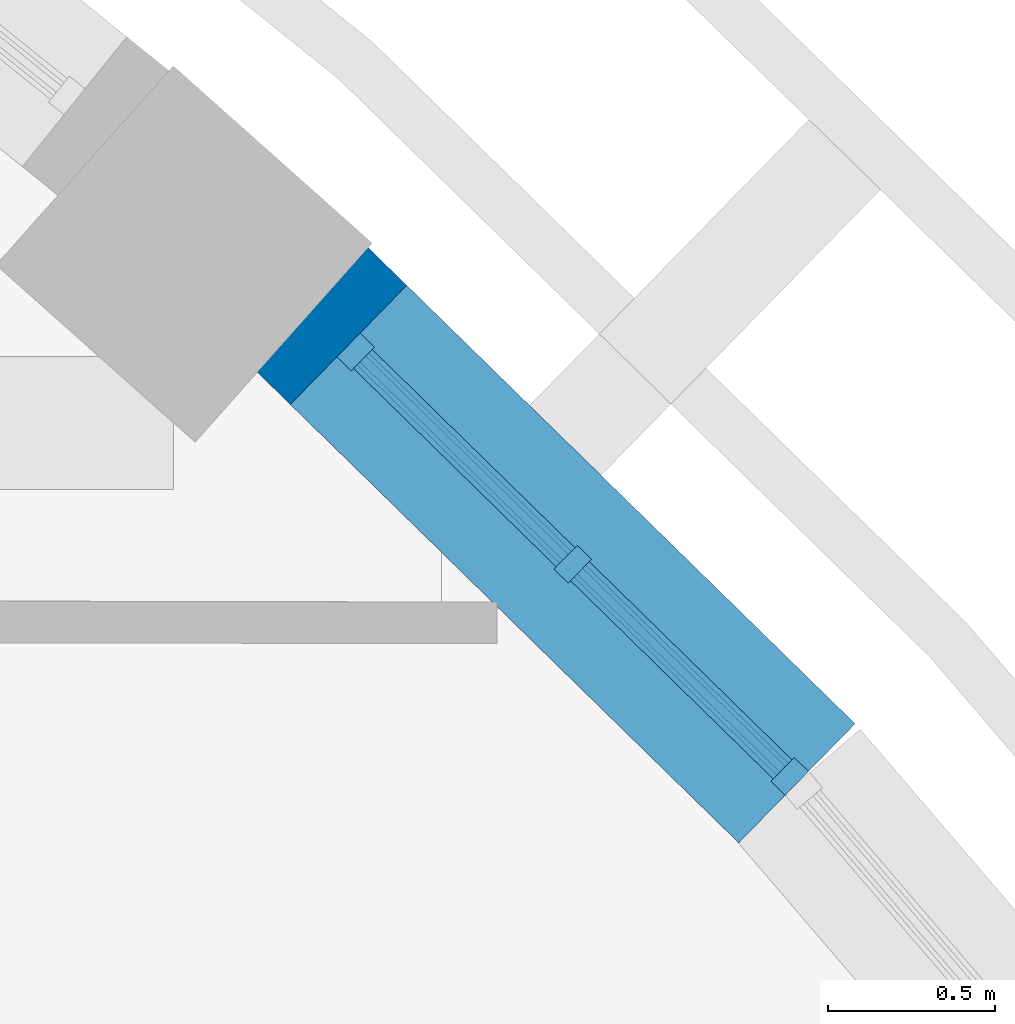
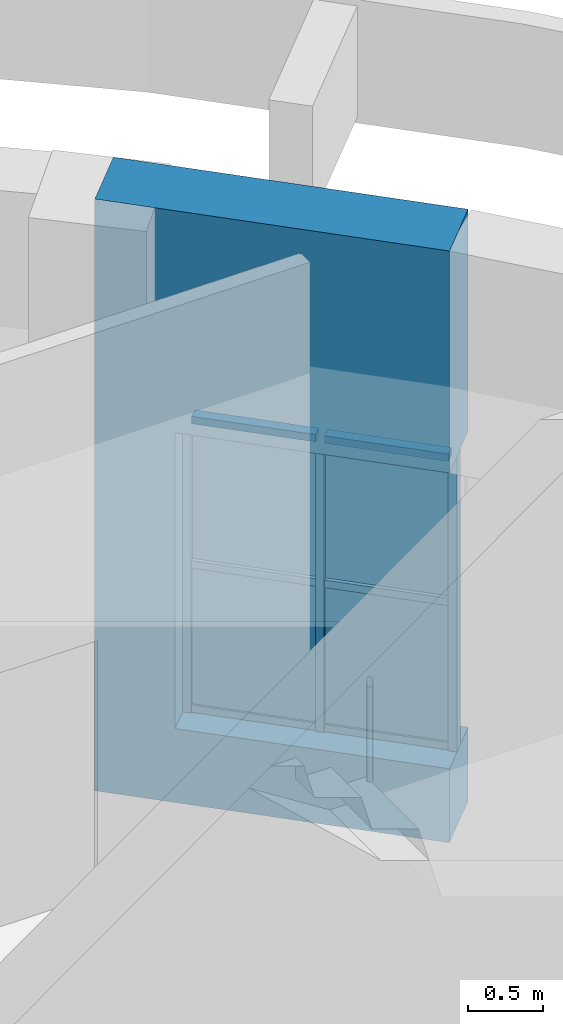
# One storey, part 38 of 79: 9 members, 4 plates, 1 wall, 1 opening, 1 element without a shape of its own.
"""IFC4 building model written with IfcOpenShell, lengths in metres."""

import ifcopenshell
import ifcopenshell.guid

model = None  # the IFC model being written
_history = None  # IfcOwnerHistory: only IFC2X3 demands one
_inside = {}  # id of a spatial element -> (the spatial element, [elements in it])
_under = {}  # id of a project, library or spatial element -> (it, [spatial elements below it])
_declared = {}  # id of a project -> (the project, [libraries it declares])
_typed = {}  # id of a type object -> (the type object, [elements of that type])
_made_of = {}  # id of a material, layer set ... -> (it, [elements and type objects made of it])


def new_model(schema):
    """Start an empty IFC model of exactly this schema.

    Asked for "IFC4X3", IfcOpenShell would pick the latest addendum, in which some entities
    have other attributes; the version numbers below select the first issue.
    IFC2X3 requires an IfcOwnerHistory on every rooted entity: one is made here for all.
    """
    global model, _history
    if schema == "IFC4X3":
        model = ifcopenshell.file(schema_version=(4, 3, 0, 0))
    else:
        model = ifcopenshell.file(schema=schema)
    _inside.clear()
    _under.clear()
    _declared.clear()
    _typed.clear()
    _made_of.clear()
    _history = None
    if model.schema == "IFC2X3":
        org = make("IfcOrganization", Name="unknown")
        user = make(
            "IfcPersonAndOrganization",
            ThePerson=make("IfcPerson", FamilyName="unknown"),
            TheOrganization=org,
        )
        app = make(
            "IfcApplication",
            ApplicationDeveloper=org,
            Version="unknown",
            ApplicationFullName="unknown",
            ApplicationIdentifier="unknown",
        )
        _history = make(
            "IfcOwnerHistory",
            OwningUser=user,
            OwningApplication=app,
            ChangeAction="ADDED",
            CreationDate=0,
        )
    return model


def make(cls, **values):
    """One entity of the class cls with the attributes given. An attribute that is None is left unset."""
    return model.create_entity(
        cls, **{name: value for name, value in values.items() if value is not None}
    )


def rooted(cls, **values):
    """An entity with a GlobalId (a new one), such as an element, a storey or a relation."""
    return make(cls, GlobalId=ifcopenshell.guid.new(), OwnerHistory=_history, **values)


def si_unit(unit_type, name, prefix=None):
    """IfcSIUnit, for example si_unit("LENGTHUNIT", "METRE", prefix="MILLI")."""
    return make("IfcSIUnit", UnitType=unit_type, Prefix=prefix, Name=name)


def assignment(units):
    """IfcUnitAssignment: the units of a project."""
    return None if units is None else make("IfcUnitAssignment", Units=units)


def point(xyz):
    """IfcCartesianPoint."""
    return None if xyz is None else make("IfcCartesianPoint", Coordinates=xyz)


def direction(xyz):
    """IfcDirection."""
    return None if xyz is None else make("IfcDirection", DirectionRatios=xyz)


def frame(location, z_axis=None, x_axis=None):
    """IfcAxis2Placement3D, a coordinate frame: its origin and axes. An axis left out is left unset."""
    return make(
        "IfcAxis2Placement3D",
        Location=point(location),
        Axis=direction(z_axis),
        RefDirection=direction(x_axis),
    )


def frame_2d(location, x_axis=None):
    """IfcAxis2Placement2D, a coordinate frame in the plane: its origin and x axis."""
    return make(
        "IfcAxis2Placement2D", Location=point(location), RefDirection=direction(x_axis)
    )


def origin():
    """The frame at (0, 0, 0) with its axes left unset."""
    return frame((0.0, 0.0, 0.0))


def origin_2d():
    """The frame at (0, 0) in the plane with its x axis left unset."""
    return frame_2d((0.0, 0.0))


def place(relative_to, where):
    """IfcLocalPlacement: puts the frame where relative to a parent placement (None: the world)."""
    return make(
        "IfcLocalPlacement", PlacementRelTo=relative_to, RelativePlacement=where
    )


def context(
    kind, dimensions, precision=None, world=None, true_north=None, identifier=None
):
    """IfcGeometricRepresentationContext, for example the 3D "Model" context."""
    return make(
        "IfcGeometricRepresentationContext",
        ContextIdentifier=identifier,
        ContextType=kind,
        CoordinateSpaceDimension=dimensions,
        Precision=precision,
        WorldCoordinateSystem=world,
        TrueNorth=true_north,
    )


def subcontext(parent, identifier, kind, view, scale=None):
    """IfcGeometricRepresentationSubContext, for example "Body" below "Model"."""
    return make(
        "IfcGeometricRepresentationSubContext",
        ContextIdentifier=identifier,
        ContextType=kind,
        ParentContext=parent,
        TargetScale=scale,
        TargetView=view,
    )


def project(units=None, contexts=None):
    """IfcProject with its units and contexts."""
    return rooted(
        "IfcProject",
        Name="project",
        RepresentationContexts=contexts,
        UnitsInContext=assignment(units),
    )


def spatial(cls, under=None, at=None, **own):
    """A site, building, storey or space (cls), placed at a placement, below another one or the project."""
    s = rooted(cls, ObjectPlacement=at, **own)
    if under is not None:
        _under.setdefault(under.id(), (under, []))[1].append(s)
    return s


def profile(cls, at=None, kind="AREA", **sizes):
    """A parametric profile (cls). Its sizes go by their IFC names, for example OverallWidth=200.0."""
    return make(cls, ProfileType=kind, Position=at, **sizes)


def rectangle(**sizes):
    """IfcRectangleProfileDef."""
    return profile("IfcRectangleProfileDef", **sizes)


def extrude(swept, where, along, depth):
    """IfcExtrudedAreaSolid: the profile swept, set in the frame where, extruded along a direction by depth."""
    return make(
        "IfcExtrudedAreaSolid",
        SweptArea=swept,
        Position=where,
        ExtrudedDirection=direction(along),
        Depth=depth,
    )


def shape(context_of_items, identifier, shape_type, items):
    """IfcShapeRepresentation: the items that make up one representation, for example the "Body"."""
    return make(
        "IfcShapeRepresentation",
        ContextOfItems=context_of_items,
        RepresentationIdentifier=identifier,
        RepresentationType=shape_type,
        Items=items,
    )


def material(Name=None, Category=None):
    """IfcMaterial."""
    return make("IfcMaterial", Name=Name, Category=Category)


def layer(
    of_material, thickness, ventilated=None, Name=None, Category=None, Priority=None
):
    """IfcMaterialLayer: one layer of a wall or slab, of a material (None: an air gap)."""
    return make(
        "IfcMaterialLayer",
        Material=of_material,
        LayerThickness=thickness,
        IsVentilated=ventilated,
        Name=Name,
        Category=Category,
        Priority=Priority,
    )


def layer_set(layers, Name=None):
    """IfcMaterialLayerSet."""
    return make("IfcMaterialLayerSet", MaterialLayers=layers, LayerSetName=Name)


def material_profile(
    of_material, cross_section, Name=None, Category=None, Priority=None
):
    """IfcMaterialProfile: a cross section and its material."""
    return make(
        "IfcMaterialProfile",
        Name=Name,
        Material=of_material,
        Profile=cross_section,
        Priority=Priority,
        Category=Category,
    )


def profile_set(profiles, Name=None, composite=None):
    """IfcMaterialProfileSet."""
    return make(
        "IfcMaterialProfileSet",
        Name=Name,
        MaterialProfiles=profiles,
        CompositeProfile=composite,
    )


def made_of(thing, what):
    """Note that an element or type object is made of a material, layer set ...; save() writes the relation."""
    if what is not None:
        _made_of.setdefault(what.id(), (what, []))[1].append(thing)
    return thing


def type_object(cls, material=None, **own):
    """A type object (cls), such as IfcWallType, which elements share."""
    return made_of(rooted(cls, **own), material)


def element(
    cls,
    number,
    at=None,
    inside=None,
    cuts=None,
    type_object=None,
    material=None,
    context=None,
    identifier="Body",
    shape_type=None,
    held_by="IfcProductDefinitionShape",
    body=None,
    shapes=None,
    **own,
):
    """One element of the class cls, such as IfcWall. Its Tag is "e" and its number.

    at: its placement. inside: the storey or other place that contains it. cuts: it is an
    opening in that element (IfcRelVoidsElement). A single representation is given by context,
    identifier, shape_type and body (its items); several are given by shapes. held_by: the class
    of the entity that holds the representations. save() writes the other relations.
    """
    e = rooted(cls, Tag="e%d" % number, ObjectPlacement=at, **own)
    if body is not None:
        shapes = [shape(context, identifier, shape_type, body)]
    if shapes is not None:
        e.Representation = make(held_by, Representations=shapes)
    if inside is not None:
        _inside.setdefault(inside.id(), (inside, []))[1].append(e)
    if cuts is not None:
        rooted(
            "IfcRelVoidsElement", RelatingBuildingElement=cuts, RelatedOpeningElement=e
        )
    if type_object is not None:
        _typed.setdefault(type_object.id(), (type_object, []))[1].append(e)
    return made_of(e, material)


def fill(opening, filler):
    """IfcRelFillsElement: the door or window that sits in an opening."""
    return rooted(
        "IfcRelFillsElement",
        RelatingOpeningElement=opening,
        RelatedBuildingElement=filler,
    )


def aggregate(whole, parts):
    """IfcRelAggregates: a whole, such as a stair, and the parts it consists of."""
    return rooted("IfcRelAggregates", RelatingObject=whole, RelatedObjects=parts)


def save(model, path):
    """Write the relations noted so far, then the file.

    IfcRelAggregates (storeys below a building ...), IfcRelContainedInSpatialStructure (elements
    in a storey), IfcRelDefinesByType, IfcRelAssociatesMaterial and IfcRelDeclares: one each for
    every whole, place, type object, material and project.
    """
    for whole, parts in _under.values():
        aggregate(whole, parts)
    for where, things in _inside.values():
        rooted(
            "IfcRelContainedInSpatialStructure",
            RelatedElements=things,
            RelatingStructure=where,
        )
    for kind, things in _typed.values():
        rooted("IfcRelDefinesByType", RelatedObjects=things, RelatingType=kind)
    for what, things in _made_of.values():
        rooted("IfcRelAssociatesMaterial", RelatedObjects=things, RelatingMaterial=what)
    for by, libraries in _declared.values():
        rooted("IfcRelDeclares", RelatingContext=by, RelatedDefinitions=libraries)
    model.write(path)


model = new_model("IFC4")

# Units and contexts
model_context = context("Model", 3, precision=1e-05, world=origin(), true_north=direction((0.0, 1.0)))
body_context = subcontext(model_context, "Body", "Model", "MODEL_VIEW")
ifc_project = project(units=[si_unit("LENGTHUNIT", "METRE"), si_unit("AREAUNIT", "SQUARE_METRE"), si_unit("VOLUMEUNIT", "CUBIC_METRE"), si_unit("PLANEANGLEUNIT", "RADIAN"), si_unit("MASSUNIT", "GRAM", prefix="KILO")], contexts=[model_context])

# Site, building, storey
site_placement = place(None, origin())
site = spatial("IfcSite", under=ifc_project, at=site_placement, CompositionType="ELEMENT")
building_placement = place(site_placement, origin())
building = spatial("IfcBuilding", under=site, at=building_placement, Name="Larchfold Concert Hall", CompositionType="ELEMENT")
storey_placement = place(building_placement, frame((0.0, 0.0, 14.39990234375)))
storey = spatial("IfcBuildingStorey", under=building, at=storey_placement, Name="L03", CompositionType="ELEMENT", Elevation=14.39990234375)

# Curtain wall, members, plates
ifc_material_1 = material(Name="Anodised graphite aluminium curtain wall", Category="aluminium")
ifc_layer_1 = layer(ifc_material_1, 0.10009765625)
ifc_layer_set_1 = layer_set([ifc_layer_1], Name="Anodised graphite aluminium curtain wall")
curtain_wall_type = type_object("IfcCurtainWallType", Name="Curtain wall GB", PredefinedType="NOTDEFINED", material=ifc_layer_set_1)
curtain_wall_placement = place(storey_placement, origin())
curtain_wall = element("IfcCurtainWall", 1, at=curtain_wall_placement, inside=storey, type_object=curtain_wall_type, Name="Curtain wall CW0013", PredefinedType="NOTDEFINED")
ifc_material_2 = material(Name="Anodised graphite aluminium mullion", Category="aluminium")
ifc_material_profile_1 = material_profile(ifc_material_2, rectangle(XDim=0.10009765625, YDim=0.06005859375, at=origin_2d()))
ifc_profile_set_1 = profile_set([ifc_material_profile_1], Name="Anodised graphite aluminium mullion")
member_type_1 = type_object("IfcMemberType", Name="Aluminium mullion 60x100", PredefinedType="MULLION", material=ifc_profile_set_1)
member_1_placement = place(storey_placement, frame((57.5458984375, 111.538818359375, 0.60009765625), z_axis=(0.0, 0.0, 1.0), x_axis=(-0.699086693487, -0.71503691862, 0.0)))
member_1 = element("IfcMember", 2, at=member_1_placement, type_object=member_type_1, Name="CW0013 mullion 1", PredefinedType="MULLION", context=body_context, shape_type="SweptSolid", body=[
    extrude(rectangle(XDim=0.10009765625, YDim=0.06005859375, at=origin_2d()), origin(), (0.0, 0.0, 1.0), 2.39990234375),
])
member_2_placement = place(storey_placement, frame((56.894287109375, 112.17578125, 0.60009765625), z_axis=(0.0, 0.0, 1.0), x_axis=(-0.699086693487, -0.71503691862, 0.0)))
member_2 = element("IfcMember", 3, at=member_2_placement, type_object=member_type_1, Name="CW0013 mullion 2", PredefinedType="MULLION", context=body_context, shape_type="SweptSolid", body=[
    extrude(rectangle(XDim=0.10009765625, YDim=0.06005859375, at=origin_2d()), origin(), (0.0, 0.0, 1.0), 2.39990234375),
])
member_3_placement = place(storey_placement, frame((56.24267578125, 112.81298828125, 0.60009765625), z_axis=(0.0, 0.0, 1.0), x_axis=(-0.699086693487, -0.71503691862, 0.0)))
member_3 = element("IfcMember", 4, at=member_3_placement, type_object=member_type_1, Name="CW0013 mullion 3", PredefinedType="MULLION", context=body_context, shape_type="SweptSolid", body=[
    extrude(rectangle(XDim=0.10009765625, YDim=0.06005859375, at=origin_2d()), origin(), (0.0, 0.0, 1.0), 2.39990234375),
])
ifc_material_3 = material(Name="Anodised graphite aluminium transom", Category="aluminium")
ifc_material_profile_2 = material_profile(ifc_material_3, rectangle(XDim=0.080078125, YDim=0.06005859375, at=origin_2d()))
ifc_profile_set_2 = profile_set([ifc_material_profile_2], Name="Anodised graphite aluminium transom")
member_type_2 = type_object("IfcMemberType", Name="Aluminium transom 60x80", PredefinedType="USERDEFINED", material=ifc_profile_set_2)
member_4_placement = place(storey_placement, frame((57.5244140625, 111.559814453125, 0.630126953125), z_axis=(-0.714949324544, 0.699176274865, 0.0), x_axis=(-0.699176274865, -0.714949324544, 0.0)))
member_4 = element("IfcMember", 5, at=member_4_placement, type_object=member_type_2, Name="CW0013 transom 1.1", ObjectType="TRANSOM", PredefinedType="USERDEFINED", context=body_context, shape_type="SweptSolid", body=[
    extrude(rectangle(XDim=0.080078125, YDim=0.06005859375, at=origin_2d()), origin(), (0.0, 0.0, 1.0), 0.851318359375),
])
member_5_placement = place(storey_placement, frame((57.5244140625, 111.559814453125, 1.800048828125), z_axis=(-0.714949324544, 0.699176274865, 0.0), x_axis=(-0.699176274865, -0.714949324544, 0.0)))
member_5 = element("IfcMember", 6, at=member_5_placement, type_object=member_type_2, Name="CW0013 transom 1.2", ObjectType="TRANSOM", PredefinedType="USERDEFINED", context=body_context, shape_type="SweptSolid", body=[
    extrude(rectangle(XDim=0.080078125, YDim=0.06005859375, at=origin_2d()), origin(), (0.0, 0.0, 1.0), 0.851318359375),
])
member_6_placement = place(storey_placement, frame((57.5244140625, 111.559814453125, 2.969970703125), z_axis=(-0.714949324544, 0.699176274865, 0.0), x_axis=(-0.699176274865, -0.714949324544, 0.0)))
member_6 = element("IfcMember", 7, at=member_6_placement, type_object=member_type_2, Name="CW0013 transom 1.3", ObjectType="TRANSOM", PredefinedType="USERDEFINED", context=body_context, shape_type="SweptSolid", body=[
    extrude(rectangle(XDim=0.080078125, YDim=0.06005859375, at=origin_2d()), origin(), (0.0, 0.0, 1.0), 0.851318359375),
])
member_7_placement = place(storey_placement, frame((56.872802734375, 112.19677734375, 0.630126953125), z_axis=(-0.714949324544, 0.699176274865, 0.0), x_axis=(-0.699176274865, -0.714949324544, 0.0)))
member_7 = element("IfcMember", 8, at=member_7_placement, type_object=member_type_2, Name="CW0013 transom 2.1", ObjectType="TRANSOM", PredefinedType="USERDEFINED", context=body_context, shape_type="SweptSolid", body=[
    extrude(rectangle(XDim=0.080078125, YDim=0.06005859375, at=origin_2d()), origin(), (0.0, 0.0, 1.0), 0.851318359375),
])
member_8_placement = place(storey_placement, frame((56.872802734375, 112.19677734375, 1.800048828125), z_axis=(-0.714949324544, 0.699176274865, 0.0), x_axis=(-0.699176274865, -0.714949324544, 0.0)))
member_8 = element("IfcMember", 9, at=member_8_placement, type_object=member_type_2, Name="CW0013 transom 2.2", ObjectType="TRANSOM", PredefinedType="USERDEFINED", context=body_context, shape_type="SweptSolid", body=[
    extrude(rectangle(XDim=0.080078125, YDim=0.06005859375, at=origin_2d()), origin(), (0.0, 0.0, 1.0), 0.851318359375),
])
member_9_placement = place(storey_placement, frame((56.872802734375, 112.19677734375, 2.969970703125), z_axis=(-0.714949324544, 0.699176274865, 0.0), x_axis=(-0.699176274865, -0.714949324544, 0.0)))
member_9 = element("IfcMember", 10, at=member_9_placement, type_object=member_type_2, Name="CW0013 transom 2.3", ObjectType="TRANSOM", PredefinedType="USERDEFINED", context=body_context, shape_type="SweptSolid", body=[
    extrude(rectangle(XDim=0.080078125, YDim=0.06005859375, at=origin_2d()), origin(), (0.0, 0.0, 1.0), 0.851318359375),
])
ifc_material_4 = material(Name="Insulated glazing unit, glass", Category="glass")
ifc_layer_2 = layer(ifc_material_4, 0.02392578125)
ifc_layer_set_2 = layer_set([ifc_layer_2], Name="Insulated glazing unit, glass")
plate_type_1 = type_object("IfcPlateType", Name="Glass panel 24", PredefinedType="CURTAIN_PANEL", material=ifc_layer_set_2)
plate_1_placement = place(storey_placement, frame((57.22021484375, 111.857421875, 1.830078125), z_axis=(0.0, 0.0, 1.0), x_axis=(-0.71503691862, 0.699086693487, 0.0)))
plate_1 = element("IfcPlate", 11, at=plate_1_placement, type_object=plate_type_1, Name="CW0013 panel 1.2", PredefinedType="CURTAIN_PANEL", context=body_context, shape_type="SweptSolid", body=[
    extrude(rectangle(XDim=0.851318359375, YDim=0.02392578125, at=origin_2d()), origin(), (0.0, 0.0, 1.0), 1.10986328125),
])
plate_2_placement = place(storey_placement, frame((56.568359375, 112.494384765625, 1.830078125), z_axis=(0.0, 0.0, 1.0), x_axis=(-0.71503691862, 0.699086693487, 0.0)))
plate_2 = element("IfcPlate", 12, at=plate_2_placement, type_object=plate_type_1, Name="CW0013 panel 2.2", PredefinedType="CURTAIN_PANEL", context=body_context, shape_type="SweptSolid", body=[
    extrude(rectangle(XDim=0.851318359375, YDim=0.02392578125, at=origin_2d()), origin(), (0.0, 0.0, 1.0), 1.10986328125),
])
ifc_material_5 = material(Name="White insulated panel")
ifc_layer_3 = layer(ifc_material_5, 0.050048828125)
ifc_layer_set_3 = layer_set([ifc_layer_3], Name="White insulated panel")
plate_type_2 = type_object("IfcPlateType", Name="Insulated spandrel panel 50", PredefinedType="CURTAIN_PANEL", material=ifc_layer_set_3)
plate_3_placement = place(storey_placement, frame((57.22021484375, 111.857421875, 0.66015625), z_axis=(0.0, 0.0, 1.0), x_axis=(-0.71503691862, 0.699086693487, 0.0)))
plate_3 = element("IfcPlate", 13, at=plate_3_placement, type_object=plate_type_2, Name="CW0013 panel 1.1", PredefinedType="CURTAIN_PANEL", context=body_context, shape_type="SweptSolid", body=[
    extrude(rectangle(XDim=0.851318359375, YDim=0.050048828125, at=origin_2d()), origin(), (0.0, 0.0, 1.0), 1.10986328125),
])
plate_4_placement = place(storey_placement, frame((56.568359375, 112.494384765625, 0.66015625), z_axis=(0.0, 0.0, 1.0), x_axis=(-0.71503691862, 0.699086693487, 0.0)))
plate_4 = element("IfcPlate", 14, at=plate_4_placement, type_object=plate_type_2, Name="CW0013 panel 2.1", PredefinedType="CURTAIN_PANEL", context=body_context, shape_type="SweptSolid", body=[
    extrude(rectangle(XDim=0.851318359375, YDim=0.050048828125, at=origin_2d()), origin(), (0.0, 0.0, 1.0), 1.10986328125),
])
aggregate(curtain_wall, [member_1, member_2, member_3, member_4, member_5, member_6, plate_3, plate_1, member_7, member_8, member_9, plate_4, plate_2])

# Wall, opening
ifc_material_6 = material(Name="Concrete C30/37", Category="concrete")
ifc_layer_4 = layer(ifc_material_6, 0.5)
ifc_layer_set_4 = layer_set([ifc_layer_4], Name="Concrete C30/37")
wall_type = type_object("IfcWallType", Name="Wall RC 500 drum facade", PredefinedType="SOLIDWALL", material=ifc_layer_set_4)
wall_placement = place(storey_placement, frame((57.5673828125, 111.517822265625, 0.0), z_axis=(0.0, 0.0, 1.0), x_axis=(-0.71498883591, 0.69913586986, 0.0)))
wall = element("IfcWall", 15, at=wall_placement, inside=storey, type_object=wall_type, Name="Wall DW013", PredefinedType="SOLIDWALL", context=body_context, shape_type="SweptSolid", body=[
    extrude(rectangle(XDim=2.433349609375, YDim=0.5, at=frame_2d((1.216796875, 0.0))), origin(), (0.0, 0.0, 1.0), 4.800048828125),
])
opening_placement = place(wall_placement, frame((0.0, 0.0, 0.60009765625)))
opening = element("IfcOpeningElement", 16, at=opening_placement, cuts=wall, Name="Opening CW0013", PredefinedType="OPENING", context=body_context, shape_type="SweptSolid", body=[
    extrude(rectangle(XDim=1.882568359375, YDim=2.39990234375, at=frame_2d((0.94140625, 1.199951171875))), frame((0.0, 0.260009765625, 0.0), z_axis=(0.0, -1.0, 0.0), x_axis=(1.0, 0.0, 0.0)), (0.0, 0.0, 1.0), 0.52001953125),
])

fill(opening, curtain_wall)

save(model, "model.ifc")
